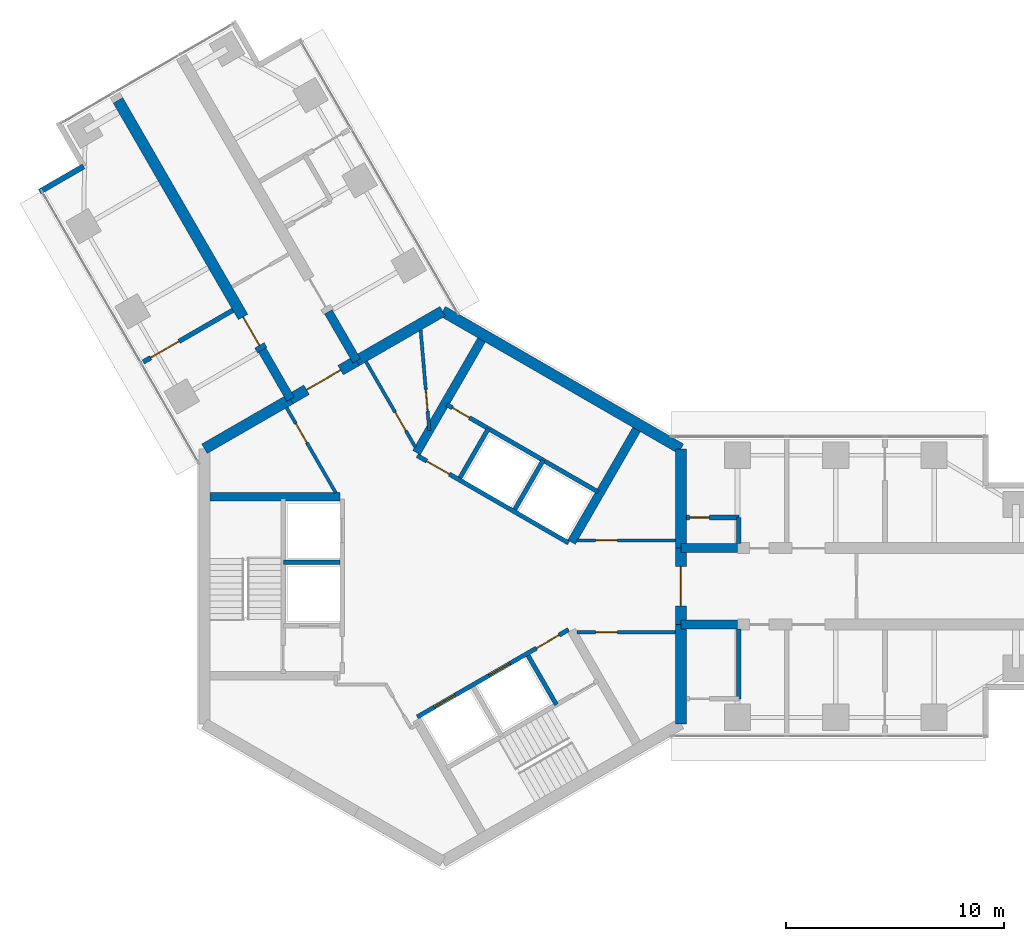
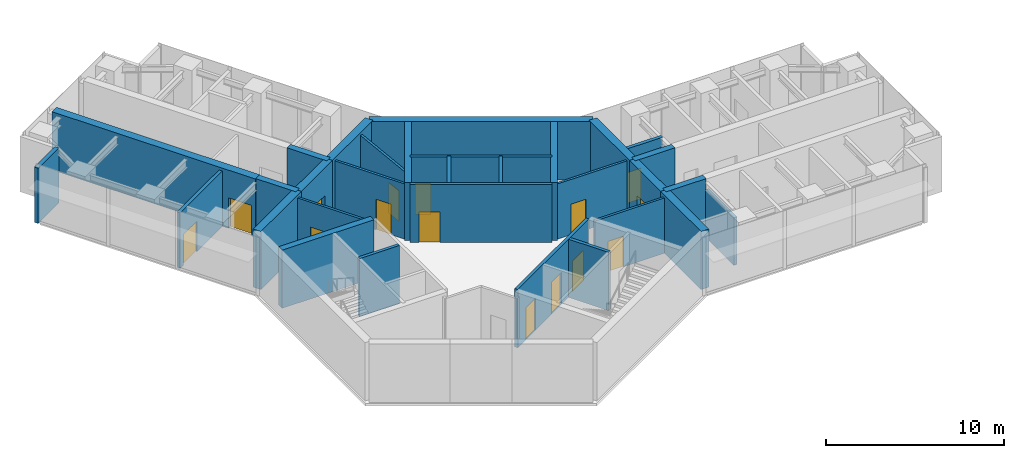
# One storey, part 12 of 17: 32 walls, 15 doors, 15 openings.
"""IFC4 building model written with IfcOpenShell, lengths in metres."""

from ifc_helpers import new_model, si_unit, direction, frame, frame_2d, origin, place, context, subcontext, project, spatial, rectangle, extrude, material, layer, layer_set, type_object, element, fill, save


model = new_model("IFC4")

# Units and contexts
model_context = context("Model", 3, precision=1e-05, world=origin(), true_north=direction((0.0, 1.0)))
body_context = subcontext(model_context, "Body", "Model", "MODEL_VIEW")
ifc_project = project(units=[si_unit("LENGTHUNIT", "METRE"), si_unit("AREAUNIT", "SQUARE_METRE"), si_unit("VOLUMEUNIT", "CUBIC_METRE"), si_unit("PLANEANGLEUNIT", "RADIAN"), si_unit("MASSUNIT", "GRAM", prefix="KILO")], contexts=[model_context])

# Site, building, storey
site_placement = place(None, origin())
site = spatial("IfcSite", under=ifc_project, at=site_placement, CompositionType="ELEMENT")
building_placement = place(site_placement, origin())
building = spatial("IfcBuilding", under=site, at=building_placement, Name="Upepo Twin Towers", CompositionType="ELEMENT")
storey_placement = place(building_placement, frame((0.0, 0.0, 190.5)))
storey = spatial("IfcBuildingStorey", under=building, at=storey_placement, Name="L46", CompositionType="ELEMENT", Elevation=190.5)

# Wall, opening, door
ifc_material_1 = material(Name="Concrete blockwork, plastered both faces", Category="masonry")
ifc_layer_1 = layer(ifc_material_1, 0.215087890625)
ifc_layer_set_1 = layer_set([ifc_layer_1], Name="Blockwork partition 215")
wall_type_1 = type_object("IfcWallType", Name="Blockwork partition 215", PredefinedType="PARTITIONING", material=ifc_layer_set_1)
wall_1_placement = place(storey_placement, frame((11.157958984375, 3.14990234375, 0.0), z_axis=(0.0, 0.0, 1.0), x_axis=(1.0, 0.0, 0.0)))
wall_1 = element("IfcWall", 1, at=wall_1_placement, inside=storey, type_object=wall_type_1, Name="T1 WC bay partition AL at 11.16", PredefinedType="PARTITIONING", context=body_context, shape_type="SweptSolid", body=[
    extrude(rectangle(XDim=2.400146484375, YDim=0.215087890625, at=frame_2d((1.2001953125, 0.0))), origin(), (0.0, 0.0, 1.0), 3.800048828125),
])
opening_1_placement = place(wall_1_placement, frame((0.14990234375, 0.0, 0.0)))
opening_1 = element("IfcOpeningElement", 2, at=opening_1_placement, cuts=wall_1, Name="Opening D14", PredefinedType="OPENING", context=body_context, shape_type="SweptSolid", body=[
    extrude(rectangle(XDim=0.89990234375, YDim=2.10009765625, at=frame_2d((0.449951171875, 1.050048828125))), frame((0.0, 0.117431640625, 0.0), z_axis=(0.0, -1.0, 0.0), x_axis=(1.0, 0.0, 0.0)), (0.0, 0.0, 1.0), 0.235107421875),
])
ifc_material_2 = material(Name="Timber doorset", Category="wood")
door_type_1 = type_object("IfcDoorType", Name="Office door 900 FD30", OperationType="SINGLE_SWING_LEFT", PredefinedType="DOOR", material=ifc_material_2)
door_1_placement = place(opening_1_placement, origin())
door_1 = element("IfcDoor", 3, at=door_1_placement, inside=storey, type_object=door_type_1, Name="T1 L46 WC bay inner room door", OperationType="SINGLE_SWING_LEFT", OverallHeight=2.10009765625, OverallWidth=0.89990234375, PredefinedType="DOOR", context=body_context, shape_type="SweptSolid", body=[
    extrude(rectangle(XDim=0.89990234375, YDim=2.10009765625, at=frame_2d((0.449951171875, 1.050048828125))), frame((0.0, 0.02490234375, 0.0), z_axis=(0.0, -1.0, 0.0), x_axis=(1.0, 0.0, 0.0)), (0.0, 0.0, 1.0), 0.050048828125),
])
fill(opening_1, door_1)

# Walls
wall_2_placement = place(storey_placement, frame((13.55810546875, 1.949951171875, 0.0), z_axis=(0.0, 0.0, 1.0), x_axis=(0.0, 1.0, 0.0)))
element("IfcWall", 4, at=wall_2_placement, inside=storey, type_object=wall_type_1, Name="T1 WC bay partition AL end at 13.56", PredefinedType="PARTITIONING", context=body_context, shape_type="SweptSolid", body=[
    extrude(rectangle(XDim=1.199951171875, YDim=0.215087890625, at=frame_2d((0.60009765625, 0.0))), origin(), (0.0, 0.0, 1.0), 3.266845703125),
])
wall_3_placement = place(storey_placement, frame((13.55810546875, -1.949951171875, 0.0), z_axis=(0.0, 0.0, 1.0), x_axis=(0.0, -1.0, 0.0)))
element("IfcWall", 5, at=wall_3_placement, inside=storey, type_object=wall_type_1, Name="T1 WC bay partition AR end at 13.56", PredefinedType="PARTITIONING", context=body_context, shape_type="SweptSolid", body=[
    extrude(rectangle(XDim=3.199951171875, YDim=0.215087890625, at=frame_2d((1.60009765625, 0.0))), origin(), (0.0, 0.0, 1.0), 3.266845703125),
])

# Wall, opening, door
wall_4_placement = place(storey_placement, frame((-9.60693359375, 12.639892578125, 0.0), z_axis=(0.0, 0.0, 1.0), x_axis=(-0.866033238375, -0.499986429846, 0.0)))
wall_4 = element("IfcWall", 6, at=wall_4_placement, inside=storey, type_object=wall_type_1, Name="T1 partition BL at 15.75", PredefinedType="PARTITIONING", context=body_context, shape_type="SweptSolid", body=[
    extrude(rectangle(XDim=4.750244140625, YDim=0.215087890625, at=frame_2d((2.375, 0.0))), origin(), (0.0, 0.0, 1.0), 3.800048828125),
])
opening_2_placement = place(wall_4_placement, frame((2.85009765625, 0.0, 0.0)))
opening_2 = element("IfcOpeningElement", 7, at=opening_2_placement, cuts=wall_4, Name="Opening D13", PredefinedType="OPENING", context=body_context, shape_type="SweptSolid", body=[
    extrude(rectangle(XDim=1.5, YDim=2.10009765625, at=frame_2d((0.75, 1.050048828125))), frame((0.0, 0.117431640625, 0.0), z_axis=(0.0, -1.0, 0.0), x_axis=(1.0, 0.0, 0.0)), (0.0, 0.0, 1.0), 0.235107421875),
])
ifc_material_3 = material(Name="Timber doorset", Category="wood")
door_type_2 = type_object("IfcDoorType", Name="Double door 1500 FD30", OperationType="DOUBLE_DOOR_SINGLE_SWING", PredefinedType="DOOR", material=ifc_material_3)
door_2_placement = place(opening_2_placement, origin())
door_2 = element("IfcDoor", 8, at=door_2_placement, inside=storey, type_object=door_type_2, Name="T1 L46 connecting door", OperationType="DOUBLE_DOOR_SINGLE_SWING", OverallHeight=2.10009765625, OverallWidth=1.5, PredefinedType="DOOR", context=body_context, shape_type="SweptSolid", body=[
    extrude(rectangle(XDim=1.5, YDim=2.10009765625, at=frame_2d((0.75, 1.050048828125))), frame((0.0, 0.02490234375, 0.0), z_axis=(0.0, -1.0, 0.0), x_axis=(1.0, 0.0, 0.0)), (0.0, 0.0, 1.0), 0.050048828125),
])
fill(opening_2, door_2)

# Walls
ifc_material_4 = material(Name="Concrete C60/75", Category="concrete")
ifc_layer_2 = layer(ifc_material_4, 0.39990234375)
ifc_layer_set_2 = layer_set([ifc_layer_2], Name="Concrete C60/75")
wall_type_2 = type_object("IfcWallType", Name="Buttress wall 400 RC", PredefinedType="SHEAR", material=ifc_layer_set_2)
for number, where, z_axis, x_axis, name in (
    (9, (10.908447265625, 1.75, 0.0), (0.0, 0.0, 1.0), (1.0, 0.0, 0.0), "T1 wing A buttress wall L"),
    (10, (10.908447265625, -1.75, 0.0), (0.0, 0.0, 1.0), (1.0, 0.0, 0.0), "T1 wing A buttress wall R"),
):
    element("IfcWall", number, at=place(storey_placement, frame(where, z_axis=z_axis, x_axis=x_axis)), inside=storey, type_object=wall_type_2, Name=name, PredefinedType="SHEAR", context=body_context, shape_type="SweptSolid", body=[
        extrude(rectangle(XDim=2.591552734375, YDim=0.39990234375, at=frame_2d((1.2958984375, 0.0))), origin(), (0.0, 0.0, 1.0), 4.0),
    ])
for number, where, z_axis, x_axis, name in (
    (11, (-6.9697265625, 8.57177734375, 0.0), (0.0, 0.0, 1.0), (-0.499988811324, 0.866031863473, 0.0), "T1 wing B buttress wall L"),
    (12, (-3.938720703125, 10.32177734375, 0.0), (0.0, 0.0, 1.0), (-0.499918158782, 0.866072649678, 0.0), "T1 wing B buttress wall R"),
):
    element("IfcWall", number, at=place(storey_placement, frame(where, z_axis=z_axis, x_axis=x_axis)), inside=storey, type_object=wall_type_2, Name=name, PredefinedType="SHEAR", context=body_context, shape_type="SweptSolid", body=[
        extrude(rectangle(XDim=2.591796875, YDim=0.39990234375, at=frame_2d((1.2958984375, 0.0))), origin(), (0.0, 0.0, 1.0), 4.0),
    ])

# Wall, opening, door
ifc_material_5 = material(Name="Concrete C60/75", Category="concrete")
ifc_layer_3 = layer(ifc_material_5, 0.5)
ifc_layer_set_3 = layer_set([ifc_layer_3], Name="Concrete C60/75")
wall_type_3 = type_object("IfcWallType", Name="Buttress wall 500 RC", PredefinedType="SHEAR", material=ifc_layer_set_3)
wall_5_placement = place(storey_placement, frame((-8.265625, 10.81640625, 0.0), z_axis=(0.0, 0.0, 1.0), x_axis=(-0.499996231654, 0.866027579429, 0.0)))
wall_5 = element("IfcWall", 13, at=wall_5_placement, inside=storey, type_object=wall_type_3, Name="T1 wing B buttress wall L part 2", PredefinedType="SHEAR", context=body_context, shape_type="SweptSolid", body=[
    extrude(rectangle(XDim=13.19970703125, YDim=0.5, at=frame_2d((6.599853515625, 0.0))), origin(), (0.0, 0.0, 1.0), 4.0),
])
opening_3_placement = place(wall_5_placement, frame((0.25, 0.0, 0.0)))
opening_3 = element("IfcOpeningElement", 14, at=opening_3_placement, cuts=wall_5, Name="Opening D13", PredefinedType="OPENING", context=body_context, shape_type="SweptSolid", body=[
    extrude(rectangle(XDim=1.5, YDim=2.10009765625, at=frame_2d((0.75, 1.050048828125))), frame((0.0, 0.260009765625, 0.0), z_axis=(0.0, -1.0, 0.0), x_axis=(1.0, 0.0, 0.0)), (0.0, 0.0, 1.0), 0.52001953125),
])
door_3_placement = place(opening_3_placement, origin())
door_3 = element("IfcDoor", 15, at=door_3_placement, inside=storey, type_object=door_type_2, Name="T1 L46 instrument room door", OperationType="DOUBLE_DOOR_SINGLE_SWING", OverallHeight=2.10009765625, OverallWidth=1.5, PredefinedType="DOOR", context=body_context, shape_type="SweptSolid", body=[
    extrude(rectangle(XDim=1.5, YDim=2.10009765625, at=frame_2d((0.75, 1.050048828125))), frame((0.0, 0.02490234375, 0.0), z_axis=(0.0, -1.0, 0.0), x_axis=(1.0, 0.0, 0.0)), (0.0, 0.0, 1.0), 0.050048828125),
])
fill(opening_3, door_3)

# Wall
ifc_material_6 = material(Name="Concrete C60/75", Category="concrete")
ifc_layer_4 = layer(ifc_material_6, 0.5)
ifc_layer_set_4 = layer_set([ifc_layer_4], Name="Concrete C60/75")
wall_type_4 = type_object("IfcWallType", Name="Core wall 500 RC", PredefinedType="SHEAR", material=ifc_layer_set_4)
wall_6_placement = place(storey_placement, frame((10.908447265625, -6.2978515625, 0.0), z_axis=(0.0, 0.0, 1.0), x_axis=(0.0, 1.0, 0.0)))
element("IfcWall", 16, at=wall_6_placement, inside=storey, type_object=wall_type_4, Name="T1 core wall 000 R", PredefinedType="SHEAR", context=body_context, shape_type="SweptSolid", body=[
    extrude(rectangle(XDim=4.5478515625, YDim=0.5, at=frame_2d((2.27392578125, 0.0))), origin(), (0.0, 0.0, 1.0), 4.0),
])

# Wall, opening, door
wall_7_placement = place(storey_placement, frame((10.908447265625, -1.75, 0.0), z_axis=(0.0, 0.0, 1.0), x_axis=(0.0, 1.0, 0.0)))
wall_7 = element("IfcWall", 17, at=wall_7_placement, inside=storey, type_object=wall_type_4, Name="T1 core wall 000", PredefinedType="SHEAR", context=body_context, shape_type="SweptSolid", body=[
    extrude(rectangle(XDim=3.5, YDim=0.5, at=frame_2d((1.75, 0.0))), origin(), (0.0, 0.0, 1.0), 4.0),
])
opening_4_placement = place(wall_7_placement, frame((0.85009765625, 0.0, 0.0)))
opening_4 = element("IfcOpeningElement", 18, at=opening_4_placement, cuts=wall_7, Name="Opening D2", PredefinedType="OPENING", context=body_context, shape_type="SweptSolid", body=[
    extrude(rectangle(XDim=1.800048828125, YDim=2.10009765625, at=frame_2d((0.89990234375, 1.050048828125))), frame((0.0, 0.260009765625, 0.0), z_axis=(0.0, -1.0, 0.0), x_axis=(1.0, 0.0, 0.0)), (0.0, 0.0, 1.0), 0.52001953125),
])
ifc_material_7 = material(Name="Timber doorset", Category="wood")
door_type_3 = type_object("IfcDoorType", Name="Corridor double door 1800 FD60", OperationType="DOUBLE_DOOR_DOUBLE_SWING", PredefinedType="DOOR", material=ifc_material_7)
door_4_placement = place(opening_4_placement, origin())
door_4 = element("IfcDoor", 19, at=door_4_placement, inside=storey, type_object=door_type_3, Name="T1 L46 wing A corridor door", OperationType="DOUBLE_DOOR_DOUBLE_SWING", OverallHeight=2.10009765625, OverallWidth=1.800048828125, PredefinedType="DOOR", context=body_context, shape_type="SweptSolid", body=[
    extrude(rectangle(XDim=1.800048828125, YDim=2.10009765625, at=frame_2d((0.89990234375, 1.050048828125))), frame((0.0, 0.02490234375, 0.0), z_axis=(0.0, -1.0, 0.0), x_axis=(1.0, 0.0, 0.0)), (0.0, 0.0, 1.0), 0.050048828125),
])
fill(opening_4, door_4)

# Walls
wall_8_placement = place(storey_placement, frame((10.908447265625, 1.75, 0.0), z_axis=(0.0, 0.0, 1.0), x_axis=(0.0, 1.0, 0.0)))
element("IfcWall", 20, at=wall_8_placement, inside=storey, type_object=wall_type_4, Name="T1 core wall 000 L", PredefinedType="SHEAR", context=body_context, shape_type="SweptSolid", body=[
    extrude(rectangle(XDim=4.5478515625, YDim=0.5, at=frame_2d((2.27392578125, 0.0))), origin(), (0.0, 0.0, 1.0), 4.0),
])
wall_9_placement = place(storey_placement, frame((10.908447265625, 6.2978515625, 0.0), z_axis=(0.0, 0.0, 1.0), x_axis=(-0.866021940709, 0.500005998175, 0.0)))
element("IfcWall", 21, at=wall_9_placement, inside=storey, type_object=wall_type_4, Name="T1 core wall 060", PredefinedType="SHEAR", context=body_context, shape_type="SweptSolid", body=[
    extrude(rectangle(XDim=12.595947265625, YDim=0.5, at=frame_2d((6.2978515625, 0.0))), origin(), (0.0, 0.0, 1.0), 4.0),
])
wall_10_placement = place(storey_placement, frame((0.0, 12.595947265625, 0.0), z_axis=(0.0, 0.0, 1.0), x_axis=(-0.866011268655, -0.500024481964, 0.0)))
element("IfcWall", 22, at=wall_10_placement, inside=storey, type_object=wall_type_4, Name="T1 core wall 120 R", PredefinedType="SHEAR", context=body_context, shape_type="SweptSolid", body=[
    extrude(rectangle(XDim=4.548095703125, YDim=0.5, at=frame_2d((2.27392578125, 0.0))), origin(), (0.0, 0.0, 1.0), 4.0),
])

# Wall, opening, door
wall_11_placement = place(storey_placement, frame((-3.938720703125, 10.32177734375, 0.0), z_axis=(0.0, 0.0, 1.0), x_axis=(-0.866019471182, -0.500010275428, 0.0)))
wall_11 = element("IfcWall", 23, at=wall_11_placement, inside=storey, type_object=wall_type_4, Name="T1 core wall 120", PredefinedType="SHEAR", context=body_context, shape_type="SweptSolid", body=[
    extrude(rectangle(XDim=3.5, YDim=0.5, at=frame_2d((1.75, 0.0))), origin(), (0.0, 0.0, 1.0), 4.0),
])
opening_5_placement = place(wall_11_placement, frame((0.85009765625, 0.0, 0.0)))
opening_5 = element("IfcOpeningElement", 24, at=opening_5_placement, cuts=wall_11, Name="Opening D2", PredefinedType="OPENING", context=body_context, shape_type="SweptSolid", body=[
    extrude(rectangle(XDim=1.800048828125, YDim=2.10009765625, at=frame_2d((0.89990234375, 1.050048828125))), frame((0.0, 0.260009765625, 0.0), z_axis=(0.0, -1.0, 0.0), x_axis=(1.0, 0.0, 0.0)), (0.0, 0.0, 1.0), 0.52001953125),
])
door_5_placement = place(opening_5_placement, origin())
door_5 = element("IfcDoor", 25, at=door_5_placement, inside=storey, type_object=door_type_3, Name="T1 L46 wing B corridor door", OperationType="DOUBLE_DOOR_DOUBLE_SWING", OverallHeight=2.10009765625, OverallWidth=1.800048828125, PredefinedType="DOOR", context=body_context, shape_type="SweptSolid", body=[
    extrude(rectangle(XDim=1.800048828125, YDim=2.10009765625, at=frame_2d((0.89990234375, 1.050048828125))), frame((0.0, 0.02490234375, 0.0), z_axis=(0.0, -1.0, 0.0), x_axis=(1.0, 0.0, 0.0)), (0.0, 0.0, 1.0), 0.050048828125),
])
fill(opening_5, door_5)

# Walls
wall_12_placement = place(storey_placement, frame((-6.9697265625, 8.57177734375, 0.0), z_axis=(0.0, 0.0, 1.0), x_axis=(-0.866034513004, -0.499984222037, 0.0)))
element("IfcWall", 26, at=wall_12_placement, inside=storey, type_object=wall_type_4, Name="T1 core wall 120 L", PredefinedType="SHEAR", context=body_context, shape_type="SweptSolid", body=[
    extrude(rectangle(XDim=4.548095703125, YDim=0.5, at=frame_2d((2.27392578125, 0.0))), origin(), (0.0, 0.0, 1.0), 4.0),
])
ifc_material_8 = material(Name="Blockwork with anodised aluminium cladding", Category="masonry")
ifc_layer_5 = layer(ifc_material_8, 0.25)
ifc_layer_set_5 = layer_set([ifc_layer_5], Name="Notch cladding wall 250, pale metal")
wall_type_5 = type_object("IfcWallType", Name="Notch cladding wall 250, pale metal", PredefinedType="STANDARD", material=ifc_layer_set_5)
wall_13_placement = place(storey_placement, frame((-18.456298828125, 18.0673828125, 0.0), z_axis=(0.0, 0.0, 1.0), x_axis=(0.865998469481, 0.500046648681, 0.0)))
element("IfcWall", 27, at=wall_13_placement, inside=storey, type_object=wall_type_5, Name="T1 L46 wing B notch wall L1", PredefinedType="STANDARD", context=body_context, shape_type="SweptSolid", body=[
    extrude(rectangle(XDim=2.324951171875, YDim=0.25, at=frame_2d((1.16259765625, 0.0))), origin(), (0.0, 0.0, 1.0), 3.800048828125),
])

# Wall, opening, door
ifc_material_9 = material(Name="Concrete C40/50", Category="concrete")
ifc_layer_6 = layer(ifc_material_9, 0.199951171875)
ifc_layer_set_6 = layer_set([ifc_layer_6], Name="Concrete C40/50")
wall_type_6 = type_object("IfcWallType", Name="Shaft wall 200 RC", PredefinedType="SHEAR", material=ifc_layer_set_6)
wall_14_placement = place(storey_placement, frame((5.76416015625, 1.983642578125, 0.0), z_axis=(0.0, 0.0, 1.0), x_axis=(-0.866026010844, 0.49999894854, 0.0)))
wall_14 = element("IfcWall", 28, at=wall_14_placement, inside=storey, type_object=wall_type_6, Name="T1 core W60 front wall", PredefinedType="SHEAR", context=body_context, shape_type="SweptSolid", body=[
    extrude(rectangle(XDim=8.0, YDim=0.199951171875, at=frame_2d((4.0, 0.0))), origin(), (0.0, 0.0, 1.0), 4.0),
])
opening_6_placement = place(wall_14_placement, frame((6.300048828125, 0.0, 0.0)))
opening_6 = element("IfcOpeningElement", 29, at=opening_6_placement, cuts=wall_14, Name="Opening D4", PredefinedType="OPENING", context=body_context, shape_type="SweptSolid", body=[
    extrude(rectangle(XDim=1.199951171875, YDim=2.10009765625, at=frame_2d((0.60009765625, 1.050048828125))), frame((0.0, 0.10986328125, 0.0), z_axis=(0.0, -1.0, 0.0), x_axis=(1.0, 0.0, 0.0)), (0.0, 0.0, 1.0), 0.219970703125),
])
ifc_material_10 = material(Name="Timber doorset", Category="wood")
door_type_4 = type_object("IfcDoorType", Name="Lobby door 1200 FD60", OperationType="SINGLE_SWING_LEFT", PredefinedType="DOOR", material=ifc_material_10)
door_6_placement = place(opening_6_placement, origin())
door_6 = element("IfcDoor", 30, at=door_6_placement, inside=storey, type_object=door_type_4, Name="T1 L46 W60 lobby door", OperationType="SINGLE_SWING_RIGHT", OverallHeight=2.10009765625, OverallWidth=1.199951171875, PredefinedType="DOOR", context=body_context, shape_type="SweptSolid", body=[
    extrude(rectangle(XDim=1.199951171875, YDim=2.10009765625, at=frame_2d((0.60009765625, 1.050048828125))), frame((0.0, 0.02490234375, 0.0), z_axis=(0.0, -1.0, 0.0), x_axis=(1.0, 0.0, 0.0)), (0.0, 0.0, 1.0), 0.050048828125),
])
fill(opening_6, door_6)

# Walls
for number, where, z_axis, x_axis, name in (
    (31, (3.302734375, 3.520263671875, 0.0), (0.0, 0.0, 1.0), (0.499936506574, 0.866062058628, 0.0), "T1 core W60 shaft divider"),
    (32, (0.791259765625, 4.97021484375, 0.0), (0.0, 0.0, 1.0), (0.499936506574, 0.866062058628, 0.0), "T1 core W60 lobby wall"),
):
    element("IfcWall", number, at=place(storey_placement, frame(where, z_axis=z_axis, x_axis=x_axis)), inside=storey, type_object=wall_type_6, Name=name, PredefinedType="SHEAR", context=body_context, shape_type="SweptSolid", body=[
        extrude(rectangle(XDim=2.599853515625, YDim=0.199951171875, at=frame_2d((1.2998046875, 0.0))), origin(), (0.0, 0.0, 1.0), 4.0),
    ])

# Wall, opening, door
wall_15_placement = place(storey_placement, frame((7.114013671875, 4.322021484375, 0.0), z_axis=(0.0, 0.0, 1.0), x_axis=(-0.866026010844, 0.49999894854, 0.0)))
wall_15 = element("IfcWall", 33, at=wall_15_placement, inside=storey, type_object=wall_type_6, Name="T1 core W60 stair wall", PredefinedType="SHEAR", context=body_context, shape_type="SweptSolid", body=[
    extrude(rectangle(XDim=8.0, YDim=0.199951171875, at=frame_2d((4.0, 0.0))), origin(), (0.0, 0.0, 1.0), 4.0),
])
opening_7_placement = place(wall_15_placement, frame((6.800048828125, 0.0, 0.0)))
opening_7 = element("IfcOpeningElement", 34, at=opening_7_placement, cuts=wall_15, Name="Opening D9", PredefinedType="OPENING", context=body_context, shape_type="SweptSolid", body=[
    extrude(rectangle(XDim=0.89990234375, YDim=2.10009765625, at=frame_2d((0.449951171875, 1.050048828125))), frame((0.0, 0.10986328125, 0.0), z_axis=(0.0, -1.0, 0.0), x_axis=(1.0, 0.0, 0.0)), (0.0, 0.0, 1.0), 0.219970703125),
])
ifc_material_11 = material(Name="Timber doorset", Category="wood")
door_type_5 = type_object("IfcDoorType", Name="Riser door 900 FD60", OperationType="SINGLE_SWING_LEFT", PredefinedType="DOOR", material=ifc_material_11)
door_7_placement = place(opening_7_placement, origin())
door_7 = element("IfcDoor", 35, at=door_7_placement, inside=storey, type_object=door_type_5, Name="T1 L46 riser door", OperationType="SINGLE_SWING_RIGHT", OverallHeight=2.10009765625, OverallWidth=0.89990234375, PredefinedType="DOOR", context=body_context, shape_type="SweptSolid", body=[
    extrude(rectangle(XDim=0.89990234375, YDim=2.10009765625, at=frame_2d((0.449951171875, 1.050048828125))), frame((0.0, 0.02490234375, 0.0), z_axis=(0.0, -1.0, 0.0), x_axis=(1.0, 0.0, 0.0)), (0.0, 0.0, 1.0), 0.050048828125),
])
fill(opening_7, door_7)

# Wall
wall_16_placement = place(storey_placement, frame((-4.699951171875, 1.10009765625, 0.0), z_axis=(0.0, 0.0, 1.0), x_axis=(-1.0, 0.0, 0.0)))
element("IfcWall", 36, at=wall_16_placement, inside=storey, type_object=wall_type_6, Name="T1 core W180 shaft divider", PredefinedType="SHEAR", context=body_context, shape_type="SweptSolid", body=[
    extrude(rectangle(XDim=2.60009765625, YDim=0.199951171875, at=frame_2d((1.300048828125, 0.0))), origin(), (0.0, 0.0, 1.0), 4.0),
])

# Wall, openings, doors
wall_17_placement = place(storey_placement, frame((-1.1640625, -5.983642578125, 0.0), z_axis=(0.0, 0.0, 1.0), x_axis=(0.866026010844, 0.49999894854, 0.0)))
wall_17 = element("IfcWall", 37, at=wall_17_placement, inside=storey, type_object=wall_type_6, Name="T1 core W300 front wall", PredefinedType="SHEAR", context=body_context, shape_type="SweptSolid", body=[
    extrude(rectangle(XDim=8.0, YDim=0.199951171875, at=frame_2d((4.0, 0.0))), origin(), (0.0, 0.0, 1.0), 4.0),
])
opening_8_placement = place(wall_17_placement, frame((6.300048828125, 0.0, 0.0)))
opening_8 = element("IfcOpeningElement", 38, at=opening_8_placement, cuts=wall_17, Name="Opening D4", PredefinedType="OPENING", context=body_context, shape_type="SweptSolid", body=[
    extrude(rectangle(XDim=1.199951171875, YDim=2.10009765625, at=frame_2d((0.60009765625, 1.050048828125))), frame((0.0, 0.10986328125, 0.0), z_axis=(0.0, -1.0, 0.0), x_axis=(1.0, 0.0, 0.0)), (0.0, 0.0, 1.0), 0.219970703125),
])
opening_9_placement = place(wall_17_placement, frame((0.89990234375, 0.0, 0.0)))
opening_9 = element("IfcOpeningElement", 39, at=opening_9_placement, cuts=wall_17, Name="Opening LD1", PredefinedType="OPENING", context=body_context, shape_type="SweptSolid", body=[
    extrude(rectangle(XDim=1.10009765625, YDim=2.199951171875, at=frame_2d((0.550048828125, 1.10009765625))), frame((0.0, 0.10986328125, 0.0), z_axis=(0.0, -1.0, 0.0), x_axis=(1.0, 0.0, 0.0)), (0.0, 0.0, 1.0), 0.219970703125),
])
opening_10_placement = place(wall_17_placement, frame((3.800048828125, 0.0, 0.0)))
opening_10 = element("IfcOpeningElement", 40, at=opening_10_placement, cuts=wall_17, Name="Opening LD1", PredefinedType="OPENING", context=body_context, shape_type="SweptSolid", body=[
    extrude(rectangle(XDim=1.10009765625, YDim=2.199951171875, at=frame_2d((0.550048828125, 1.10009765625))), frame((0.0, 0.10986328125, 0.0), z_axis=(0.0, -1.0, 0.0), x_axis=(1.0, 0.0, 0.0)), (0.0, 0.0, 1.0), 0.219970703125),
])
ifc_material_12 = material(Name="Steel doorset", Category="steel")
door_type_6 = type_object("IfcDoorType", Name="Lift landing door 1100", OperationType="DOUBLE_DOOR_SLIDING", PredefinedType="DOOR", material=ifc_material_12)
door_8_placement = place(opening_9_placement, origin())
door_8 = element("IfcDoor", 41, at=door_8_placement, inside=storey, type_object=door_type_6, Name="T1 L46 lift UL1 landing door", OperationType="DOUBLE_DOOR_SLIDING", OverallHeight=2.199951171875, OverallWidth=1.10009765625, PredefinedType="DOOR", context=body_context, shape_type="SweptSolid", body=[
    extrude(rectangle(XDim=1.10009765625, YDim=2.199951171875, at=frame_2d((0.550048828125, 1.10009765625))), frame((0.0, 0.02490234375, 0.0), z_axis=(0.0, -1.0, 0.0), x_axis=(1.0, 0.0, 0.0)), (0.0, 0.0, 1.0), 0.050048828125),
])
fill(opening_9, door_8)
door_9_placement = place(opening_10_placement, origin())
door_9 = element("IfcDoor", 42, at=door_9_placement, inside=storey, type_object=door_type_6, Name="T1 L46 lift UL2 landing door", OperationType="DOUBLE_DOOR_SLIDING", OverallHeight=2.199951171875, OverallWidth=1.10009765625, PredefinedType="DOOR", context=body_context, shape_type="SweptSolid", body=[
    extrude(rectangle(XDim=1.10009765625, YDim=2.199951171875, at=frame_2d((0.550048828125, 1.10009765625))), frame((0.0, 0.02490234375, 0.0), z_axis=(0.0, -1.0, 0.0), x_axis=(1.0, 0.0, 0.0)), (0.0, 0.0, 1.0), 0.050048828125),
])
fill(opening_10, door_9)
door_10_placement = place(opening_8_placement, origin())
door_10 = element("IfcDoor", 43, at=door_10_placement, inside=storey, type_object=door_type_4, Name="T1 L46 W300 lobby door", OperationType="SINGLE_SWING_RIGHT", OverallHeight=2.10009765625, OverallWidth=1.199951171875, PredefinedType="DOOR", context=body_context, shape_type="SweptSolid", body=[
    extrude(rectangle(XDim=1.199951171875, YDim=2.10009765625, at=frame_2d((0.60009765625, 1.050048828125))), frame((0.0, 0.02490234375, 0.0), z_axis=(0.0, -1.0, 0.0), x_axis=(1.0, 0.0, 0.0)), (0.0, 0.0, 1.0), 0.050048828125),
])
fill(opening_8, door_10)

# Walls
wall_18_placement = place(storey_placement, frame((3.908935546875, -3.17041015625, 0.0), z_axis=(0.0, 0.0, 1.0), x_axis=(0.49997716683, -0.86603858612, 0.0)))
element("IfcWall", 44, at=wall_18_placement, inside=storey, type_object=wall_type_6, Name="T1 core W300 lobby wall", PredefinedType="SHEAR", context=body_context, shape_type="SweptSolid", body=[
    extrude(rectangle(XDim=2.599609375, YDim=0.199951171875, at=frame_2d((1.2998046875, 0.0))), origin(), (0.0, 0.0, 1.0), 4.0),
])
ifc_material_13 = material(Name="Concrete C40/50", Category="concrete")
ifc_layer_7 = layer(ifc_material_13, 0.39990234375)
ifc_layer_set_7 = layer_set([ifc_layer_7], Name="Concrete C40/50")
wall_type_7 = type_object("IfcWallType", Name="Shaft wall 400 RC", PredefinedType="SHEAR", material=ifc_layer_set_7)
wall_19_placement = place(storey_placement, frame((-1.20068359375, 6.120361328125, 0.0), z_axis=(0.0, 0.0, 1.0), x_axis=(0.500021575205, 0.866012946976, 0.0)))
element("IfcWall", 45, at=wall_19_placement, inside=storey, type_object=wall_type_7, Name="T1 core W60 side wall N", PredefinedType="SHEAR", context=body_context, shape_type="SweptSolid", body=[
    extrude(rectangle(XDim=5.958251953125, YDim=0.39990234375, at=frame_2d((2.97900390625, 0.0))), origin(), (0.0, 0.0, 1.0), 4.0),
])
for number, where, z_axis, x_axis, name in (
    (46, (5.900634765625, 2.020263671875, 0.0), (0.0, 0.0, 1.0), (0.500003832394, 0.86602319114, 0.0), "T1 core W60 side wall S"),
    (47, (-4.699951171875, 4.10009765625, 0.0), (0.0, 0.0, 1.0), (-1.0, 0.0, 0.0), "T1 core W180 side wall S"),
):
    element("IfcWall", number, at=place(storey_placement, frame(where, z_axis=z_axis, x_axis=x_axis)), inside=storey, type_object=wall_type_7, Name=name, PredefinedType="SHEAR", context=body_context, shape_type="SweptSolid", body=[
        extrude(rectangle(XDim=5.95849609375, YDim=0.39990234375, at=frame_2d((2.979248046875, 0.0))), origin(), (0.0, 0.0, 1.0), 4.0),
    ])

# Wall, opening, door
ifc_material_14 = material(Name="Gypsum board on steel studs", Category="steel")
ifc_layer_8 = layer(ifc_material_14, 0.14990234375)
ifc_layer_set_8 = layer_set([ifc_layer_8], Name="Teaching partition 150 acoustic")
wall_type_8 = type_object("IfcWallType", Name="Teaching partition 150 acoustic", PredefinedType="PARTITIONING", material=ifc_layer_set_8)
wall_20_placement = place(storey_placement, frame((-4.889892578125, 4.269775390625, 0.0), z_axis=(0.0, 0.0, 1.0), x_axis=(-0.500032211057, 0.866006805923, 0.0)))
wall_20 = element("IfcWall", 48, at=wall_20_placement, inside=storey, type_object=wall_type_8, Name="T1 core room partition 4", PredefinedType="PARTITIONING", context=body_context, shape_type="SweptSolid", body=[
    extrude(rectangle(XDim=4.525634765625, YDim=0.14990234375, at=frame_2d((2.2626953125, 0.0))), origin(), (0.0, 0.0, 1.0), 3.800048828125),
])
opening_11_placement = place(wall_20_placement, frame((2.66796875, 0.0, 0.0)))
opening_11 = element("IfcOpeningElement", 49, at=opening_11_placement, cuts=wall_20, Name="Opening D1", PredefinedType="OPENING", context=body_context, shape_type="SweptSolid", body=[
    extrude(rectangle(XDim=1.0, YDim=2.10009765625, at=frame_2d((0.5, 1.050048828125))), frame((0.0, 0.0849609375, 0.0), z_axis=(0.0, -1.0, 0.0), x_axis=(1.0, 0.0, 0.0)), (0.0, 0.0, 1.0), 0.169921875),
])
ifc_material_15 = material(Name="Timber doorset", Category="wood")
door_type_7 = type_object("IfcDoorType", Name="Room door 1000 FD30", OperationType="SINGLE_SWING_LEFT", PredefinedType="DOOR", material=ifc_material_15)
door_11_placement = place(opening_11_placement, origin())
door_11 = element("IfcDoor", 50, at=door_11_placement, inside=storey, type_object=door_type_7, Name="T1 L46 core room door K6", OperationType="SINGLE_SWING_RIGHT", OverallHeight=2.10009765625, OverallWidth=1.0, PredefinedType="DOOR", context=body_context, shape_type="SweptSolid", body=[
    extrude(rectangle(XDim=1.0, YDim=2.10009765625, at=frame_2d((0.5, 1.050048828125))), frame((0.0, 0.02490234375, 0.0), z_axis=(0.0, -1.0, 0.0), x_axis=(1.0, 0.0, 0.0)), (0.0, 0.0, 1.0), 0.050048828125),
])
fill(opening_11, door_11)

wall_21_placement = place(storey_placement, frame((-3.515380859375, 10.2890625, 0.0), z_axis=(0.0, 0.0, 1.0), x_axis=(0.499968392031, -0.866043651885, 0.0)))
wall_21 = element("IfcWall", 51, at=wall_21_placement, inside=storey, type_object=wall_type_8, Name="T1 core room partition 5", PredefinedType="PARTITIONING", context=body_context, shape_type="SweptSolid", body=[
    extrude(rectangle(XDim=4.525634765625, YDim=0.14990234375, at=frame_2d((2.2626953125, 0.0))), origin(), (0.0, 0.0, 1.0), 3.800048828125),
])
opening_12_placement = place(wall_21_placement, frame((2.66796875, 0.0, 0.0)))
opening_12 = element("IfcOpeningElement", 52, at=opening_12_placement, cuts=wall_21, Name="Opening D1", PredefinedType="OPENING", context=body_context, shape_type="SweptSolid", body=[
    extrude(rectangle(XDim=1.0, YDim=2.10009765625, at=frame_2d((0.5, 1.050048828125))), frame((0.0, 0.0849609375, 0.0), z_axis=(0.0, -1.0, 0.0), x_axis=(1.0, 0.0, 0.0)), (0.0, 0.0, 1.0), 0.169921875),
])
door_12_placement = place(opening_12_placement, origin())
door_12 = element("IfcDoor", 53, at=door_12_placement, inside=storey, type_object=door_type_7, Name="T1 L46 core room door K4", OperationType="SINGLE_SWING_RIGHT", OverallHeight=2.10009765625, OverallWidth=1.0, PredefinedType="DOOR", context=body_context, shape_type="SweptSolid", body=[
    extrude(rectangle(XDim=1.0, YDim=2.10009765625, at=frame_2d((0.5, 1.050048828125))), frame((0.0, 0.02490234375, 0.0), z_axis=(0.0, -1.0, 0.0), x_axis=(1.0, 0.0, 0.0)), (0.0, 0.0, 1.0), 0.050048828125),
])
fill(opening_12, door_12)

wall_22_placement = place(storey_placement, frame((6.142578125, 2.10009765625, 0.0), z_axis=(0.0, 0.0, 1.0), x_axis=(1.0, 0.0, 0.0)))
wall_22 = element("IfcWall", 54, at=wall_22_placement, inside=storey, type_object=wall_type_8, Name="T1 core room partition 6", PredefinedType="PARTITIONING", context=body_context, shape_type="SweptSolid", body=[
    extrude(rectangle(XDim=4.525634765625, YDim=0.14990234375, at=frame_2d((2.2626953125, 0.0))), origin(), (0.0, 0.0, 1.0), 3.800048828125),
])
opening_13_placement = place(wall_22_placement, frame((0.857666015625, 0.0, 0.0)))
opening_13 = element("IfcOpeningElement", 55, at=opening_13_placement, cuts=wall_22, Name="Opening D1", PredefinedType="OPENING", context=body_context, shape_type="SweptSolid", body=[
    extrude(rectangle(XDim=1.0, YDim=2.10009765625, at=frame_2d((0.5, 1.050048828125))), frame((0.0, 0.0849609375, 0.0), z_axis=(0.0, -1.0, 0.0), x_axis=(1.0, 0.0, 0.0)), (0.0, 0.0, 1.0), 0.169921875),
])
door_13_placement = place(opening_13_placement, origin())
door_13 = element("IfcDoor", 56, at=door_13_placement, inside=storey, type_object=door_type_7, Name="T1 L46 core room door K3", OperationType="SINGLE_SWING_LEFT", OverallHeight=2.10009765625, OverallWidth=1.0, PredefinedType="DOOR", context=body_context, shape_type="SweptSolid", body=[
    extrude(rectangle(XDim=1.0, YDim=2.10009765625, at=frame_2d((0.5, 1.050048828125))), frame((0.0, 0.02490234375, 0.0), z_axis=(0.0, -1.0, 0.0), x_axis=(1.0, 0.0, 0.0)), (0.0, 0.0, 1.0), 0.050048828125),
])
fill(opening_13, door_13)

wall_23_placement = place(storey_placement, frame((10.668212890625, -2.10009765625, 0.0), z_axis=(0.0, 0.0, 1.0), x_axis=(-1.0, 0.0, 0.0)))
wall_23 = element("IfcWall", 57, at=wall_23_placement, inside=storey, type_object=wall_type_8, Name="T1 core room partition 7", PredefinedType="PARTITIONING", context=body_context, shape_type="SweptSolid", body=[
    extrude(rectangle(XDim=4.525634765625, YDim=0.14990234375, at=frame_2d((2.2626953125, 0.0))), origin(), (0.0, 0.0, 1.0), 3.800048828125),
])
opening_14_placement = place(wall_23_placement, frame((2.66796875, 0.0, 0.0)))
opening_14 = element("IfcOpeningElement", 58, at=opening_14_placement, cuts=wall_23, Name="Opening D1", PredefinedType="OPENING", context=body_context, shape_type="SweptSolid", body=[
    extrude(rectangle(XDim=1.0, YDim=2.10009765625, at=frame_2d((0.5, 1.050048828125))), frame((0.0, 0.0849609375, 0.0), z_axis=(0.0, -1.0, 0.0), x_axis=(1.0, 0.0, 0.0)), (0.0, 0.0, 1.0), 0.169921875),
])
door_14_placement = place(opening_14_placement, origin())
door_14 = element("IfcDoor", 59, at=door_14_placement, inside=storey, type_object=door_type_7, Name="T1 L46 core room door K2", OperationType="SINGLE_SWING_RIGHT", OverallHeight=2.10009765625, OverallWidth=1.0, PredefinedType="DOOR", context=body_context, shape_type="SweptSolid", body=[
    extrude(rectangle(XDim=1.0, YDim=2.10009765625, at=frame_2d((0.5, 1.050048828125))), frame((0.0, 0.02490234375, 0.0), z_axis=(0.0, -1.0, 0.0), x_axis=(1.0, 0.0, 0.0)), (0.0, 0.0, 1.0), 0.050048828125),
])
fill(opening_14, door_14)

wall_24_placement = place(storey_placement, frame((-0.614013671875, 7.13623046875, 0.0), z_axis=(0.0, 0.0, 1.0), x_axis=(-0.085774026317, 0.996314617181, 0.0)))
wall_24 = element("IfcWall", 60, at=wall_24_placement, inside=storey, type_object=wall_type_8, Name="T1 core room partition 9", PredefinedType="PARTITIONING", context=body_context, shape_type="SweptSolid", body=[
    extrude(rectangle(XDim=4.60546875, YDim=0.14990234375, at=frame_2d((2.302734375, 0.0))), origin(), (0.0, 0.0, 1.0), 3.800048828125),
])
opening_15_placement = place(wall_24_placement, frame((0.881591796875, 0.0, 0.0)))
opening_15 = element("IfcOpeningElement", 61, at=opening_15_placement, cuts=wall_24, Name="Opening D1", PredefinedType="OPENING", context=body_context, shape_type="SweptSolid", body=[
    extrude(rectangle(XDim=1.0, YDim=2.10009765625, at=frame_2d((0.5, 1.050048828125))), frame((0.0, 0.0849609375, 0.0), z_axis=(0.0, -1.0, 0.0), x_axis=(1.0, 0.0, 0.0)), (0.0, 0.0, 1.0), 0.169921875),
])
door_15_placement = place(opening_15_placement, origin())
door_15 = element("IfcDoor", 62, at=door_15_placement, inside=storey, type_object=door_type_7, Name="T1 L46 core room door K5", OperationType="SINGLE_SWING_LEFT", OverallHeight=2.10009765625, OverallWidth=1.0, PredefinedType="DOOR", context=body_context, shape_type="SweptSolid", body=[
    extrude(rectangle(XDim=1.0, YDim=2.10009765625, at=frame_2d((0.5, 1.050048828125))), frame((0.0, 0.02490234375, 0.0), z_axis=(0.0, -1.0, 0.0), x_axis=(1.0, 0.0, 0.0)), (0.0, 0.0, 1.0), 0.050048828125),
])
fill(opening_15, door_15)

save(model, "model.ifc")
